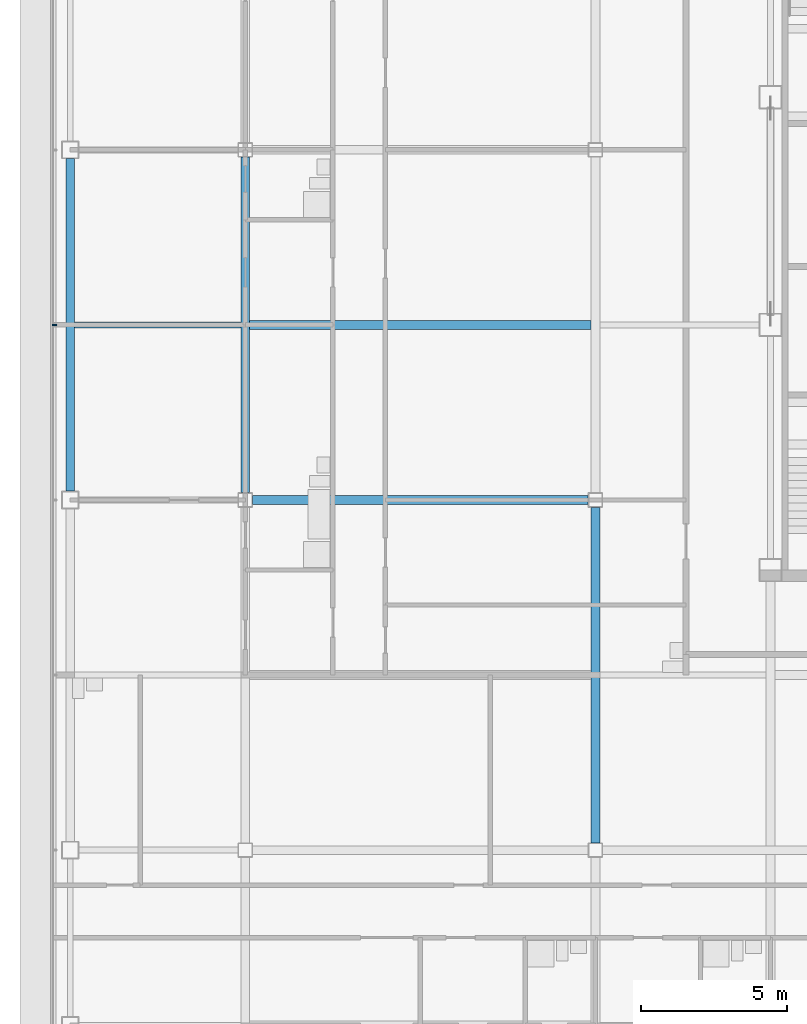
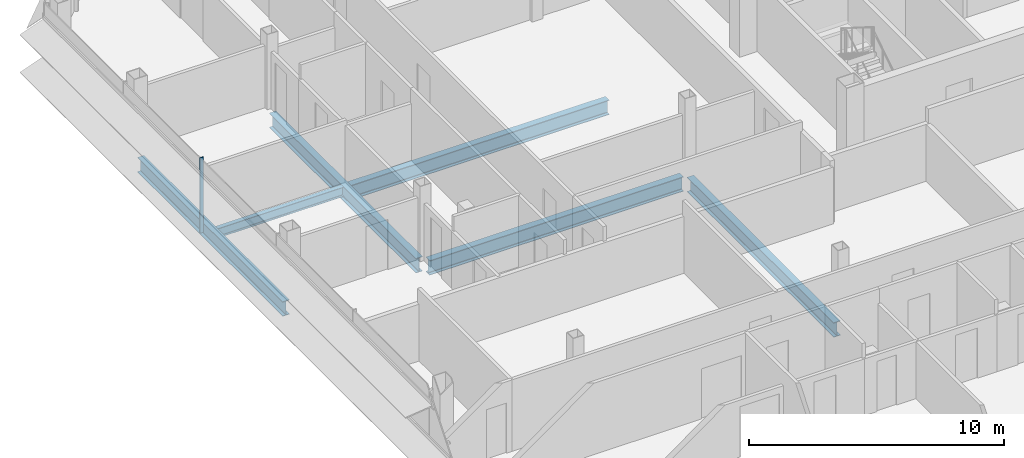
# One storey, part 7 of 27: 6 beams, 1 member, 1 element without a shape of its own.
"""IFC4 building model written with IfcOpenShell, lengths in metres."""

from ifc_helpers import new_model, si_unit, direction, frame, origin, origin_2d, place, context, subcontext, project, spatial, rectangle, i_section, extrude, material, material_profile, profile_set, type_object, element, aggregate, save


model = new_model("IFC4")

# Units and contexts
model_context = context("Model", 3, precision=1e-05, world=origin(), true_north=direction((0.0, 1.0)))
body_context = subcontext(model_context, "Body", "Model", "MODEL_VIEW")
ifc_project = project(units=[si_unit("LENGTHUNIT", "METRE"), si_unit("AREAUNIT", "SQUARE_METRE"), si_unit("VOLUMEUNIT", "CUBIC_METRE"), si_unit("PLANEANGLEUNIT", "RADIAN"), si_unit("MASSUNIT", "GRAM", prefix="KILO")], contexts=[model_context])

# Site, building, storey
site_placement = place(None, origin())
site = spatial("IfcSite", under=ifc_project, at=site_placement, CompositionType="ELEMENT")
building_placement = place(site_placement, origin())
building = spatial("IfcBuilding", under=site, at=building_placement, Name="Sorahane Residences", CompositionType="ELEMENT")
storey_placement = place(building_placement, frame((0.0, 0.0, 294.39990234375)))
storey = spatial("IfcBuildingStorey", under=building, at=storey_placement, Name="L69", CompositionType="ELEMENT", Elevation=294.39990234375)

# Curtain wall, member
ifc_material_1 = material(Name="Dark low-e glass and black anodised aluminium", Category="aluminium")
curtain_wall_type = type_object("IfcCurtainWallType", Name="Curtain wall CW-1 Typical unitised wall", PredefinedType="NOTDEFINED", material=ifc_material_1)
curtain_wall_placement = place(storey_placement, origin())
curtain_wall = element("IfcCurtainWall", 1, at=curtain_wall_placement, inside=storey, type_object=curtain_wall_type, Name="CW-1 curtain wall L69 W1", PredefinedType="NOTDEFINED")
ifc_material_2 = material(Name="Black anodised aluminium", Category="aluminium")
ifc_material_profile_1 = material_profile(ifc_material_2, rectangle(XDim=0.159912109375, YDim=0.050048828125, at=origin_2d()), Name="Curtain wall mullion CW-1 black anodised aluminium 50x160")
ifc_profile_set_1 = profile_set([ifc_material_profile_1], Name="Black anodised aluminium")
member_type = type_object("IfcMemberType", Name="Curtain wall mullion CW-1 black anodised aluminium 50x160", PredefinedType="MULLION", material=ifc_profile_set_1)
member_placement = place(storey_placement, frame((-18.5400390625, 30.0, -0.179931640625), z_axis=(0.0, 0.0, 1.0), x_axis=(-1.0, 0.0, 0.0)))
member = element("IfcMember", 2, at=member_placement, type_object=member_type, Name="CW-1 mullion L69 W1.3", PredefinedType="MULLION", context=body_context, shape_type="SweptSolid", body=[
    extrude(rectangle(XDim=0.159912109375, YDim=0.050048828125, at=origin_2d()), origin(), (0.0, 0.0, 1.0), 3.60009765625),
])
aggregate(curtain_wall, [member])

# Beams
ifc_material_3 = material(Name="Steel Q355B", Category="steel")
ifc_material_profile_2 = material_profile(ifc_material_3, i_section(OverallWidth=0.199951171875, OverallDepth=0.449951171875, WebThickness=0.009033203125, FlangeThickness=0.013916015625, FilletRadius=0.02001953125, at=origin_2d()), Name="HN 450x200x9x14")
ifc_profile_set_2 = profile_set([ifc_material_profile_2], Name="Steel Q355B")
beam_type_1 = type_object("IfcBeamType", Name="Steel floor beam HN 450x200x9x14 Q355B", PredefinedType="BEAM", material=ifc_profile_set_2)
beam_1_placement = place(storey_placement, frame((-17.85009765625, 30.0, -0.40478515625), z_axis=(1.0, 0.0, 0.0), x_axis=(0.0, 1.0, 0.0)))
element("IfcBeam", 3, at=beam_1_placement, inside=storey, type_object=beam_type_1, Name="Beam L69 083", PredefinedType="BEAM", context=body_context, shape_type="SweptSolid", body=[
    extrude(i_section(OverallWidth=0.199951171875, OverallDepth=0.449951171875, WebThickness=0.009033203125, FlangeThickness=0.013916015625, FilletRadius=0.02001953125, at=origin_2d()), origin(), (0.0, 0.0, 1.0), 5.7001953125),
])
ifc_material_4 = material(Name="Steel Q355B", Category="steel")
ifc_material_profile_3 = material_profile(ifc_material_4, i_section(OverallWidth=0.300048828125, OverallDepth=0.699951171875, WebThickness=0.012939453125, FlangeThickness=0.02392578125, FilletRadius=0.028076171875, at=origin_2d()), Name="HN 700x300x13x24")
ifc_profile_set_3 = profile_set([ifc_material_profile_3], Name="Steel Q355B")
beam_type_2 = type_object("IfcBeamType", Name="Steel floor beam HN 700x300x13x24 Q355B", PredefinedType="BEAM", material=ifc_profile_set_3)
beam_2_placement = place(storey_placement, frame((-11.75, 24.0, -0.52978515625), z_axis=(1.0, 0.0, 0.0), x_axis=(0.0, 1.0, 0.0)))
element("IfcBeam", 4, at=beam_2_placement, inside=storey, type_object=beam_type_2, Name="Beam L69 012", PredefinedType="BEAM", context=body_context, shape_type="SweptSolid", body=[
    extrude(i_section(OverallWidth=0.300048828125, OverallDepth=0.699951171875, WebThickness=0.012939453125, FlangeThickness=0.02392578125, FilletRadius=0.028076171875, at=origin_2d()), origin(), (0.0, 0.0, 1.0), 11.5),
])
beam_3_placement = place(storey_placement, frame((-18.0, 24.300048828125, -0.52978515625), z_axis=(0.0, 1.0, 0.0), x_axis=(-1.0, 0.0, 0.0)))
element("IfcBeam", 5, at=beam_3_placement, inside=storey, type_object=beam_type_2, Name="Beam L69 022", PredefinedType="BEAM", context=body_context, shape_type="SweptSolid", body=[
    extrude(i_section(OverallWidth=0.300048828125, OverallDepth=0.699951171875, WebThickness=0.012939453125, FlangeThickness=0.02392578125, FilletRadius=0.028076171875, at=origin_2d()), origin(), (0.0, 0.0, 1.0), 11.39990234375),
])
for number, where, z_axis, x_axis, name in (
    (6, (-12.0, 24.25, -0.52978515625), (0.0, 1.0, 0.0), (-1.0, 0.0, 0.0), "Beam L69 026"),
    (7, (0.0, 12.25, -0.52978515625), (0.0, 1.0, 0.0), (-1.0, 0.0, 0.0), "Beam L69 029"),
):
    element("IfcBeam", number, at=place(storey_placement, frame(where, z_axis=z_axis, x_axis=x_axis)), inside=storey, type_object=beam_type_2, Name=name, PredefinedType="BEAM", context=body_context, shape_type="SweptSolid", body=[
        extrude(i_section(OverallWidth=0.300048828125, OverallDepth=0.699951171875, WebThickness=0.012939453125, FlangeThickness=0.02392578125, FilletRadius=0.028076171875, at=origin_2d()), origin(), (0.0, 0.0, 1.0), 11.5),
    ])
beam_4_placement = place(storey_placement, frame((-11.85009765625, 30.0, -0.52978515625), z_axis=(1.0, 0.0, 0.0), x_axis=(0.0, 1.0, 0.0)))
element("IfcBeam", 8, at=beam_4_placement, inside=storey, type_object=beam_type_2, Name="Beam L69 084", PredefinedType="BEAM", context=body_context, shape_type="SweptSolid", body=[
    extrude(i_section(OverallWidth=0.300048828125, OverallDepth=0.699951171875, WebThickness=0.012939453125, FlangeThickness=0.02392578125, FilletRadius=0.028076171875, at=origin_2d()), origin(), (0.0, 0.0, 1.0), 11.7001953125),
])

save(model, "model.ifc")
